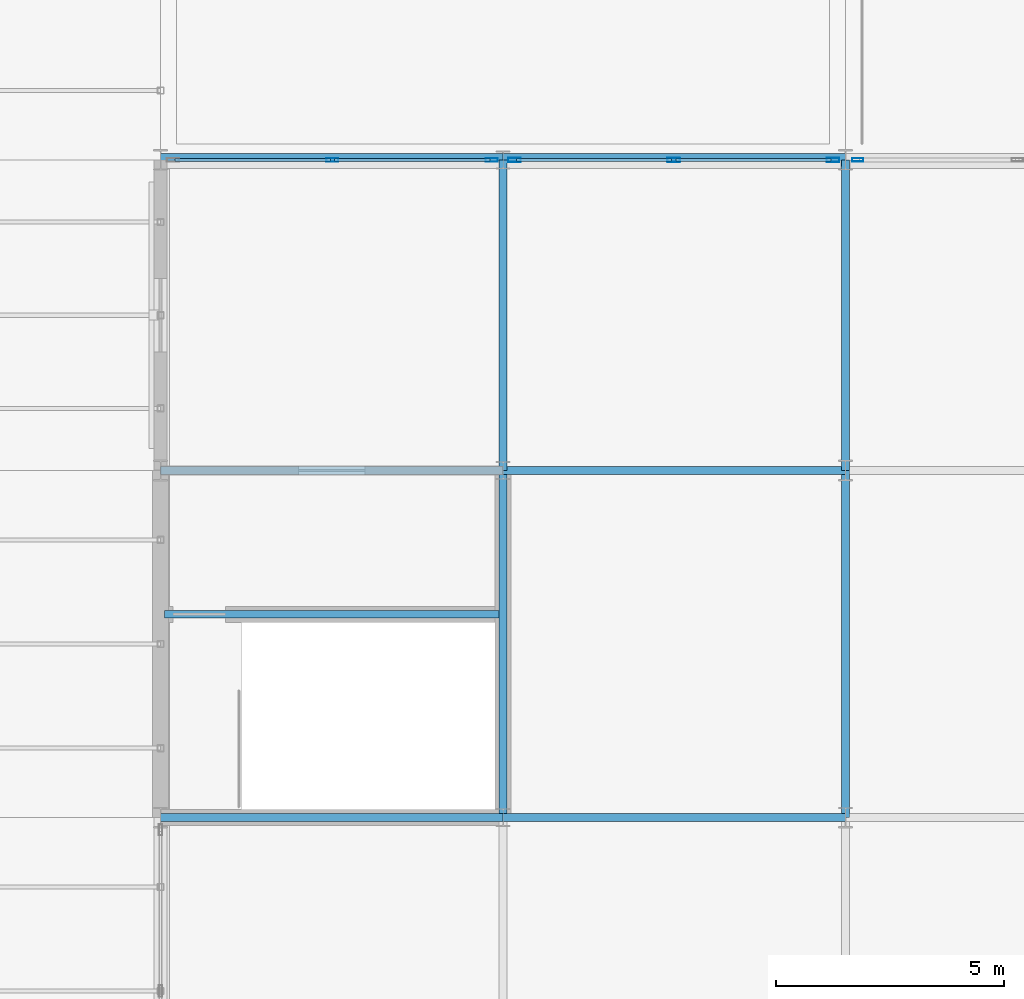
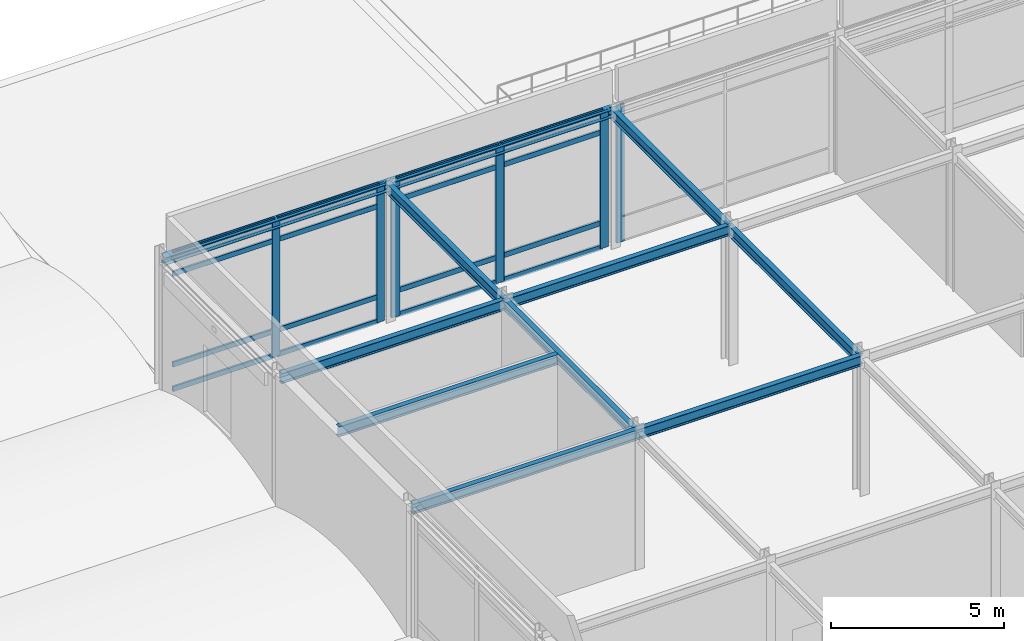
# One storey, part 40 of 113: 22 members, 11 beams, 3 elements without a shape of their own.
"""IFC4 building model written with IfcOpenShell, lengths in metres."""

from ifc_helpers import new_model, si_unit, direction, frame, origin, origin_2d, place, context, subcontext, project, spatial, hollow_rectangle, i_section, extrude, material, layer, layer_set, material_profile, profile_set, type_object, element, aggregate, save


model = new_model("IFC4")

# Units and contexts
model_context = context("Model", 3, precision=1e-05, world=origin(), true_north=direction((0.0, 1.0)))
body_context = subcontext(model_context, "Body", "Model", "MODEL_VIEW")
ifc_project = project(units=[si_unit("LENGTHUNIT", "METRE"), si_unit("AREAUNIT", "SQUARE_METRE"), si_unit("VOLUMEUNIT", "CUBIC_METRE"), si_unit("PLANEANGLEUNIT", "RADIAN"), si_unit("MASSUNIT", "GRAM", prefix="KILO")], contexts=[model_context])

# Site, building, storey
site_placement = place(None, origin())
site = spatial("IfcSite", under=ifc_project, at=site_placement, CompositionType="ELEMENT")
building_placement = place(site_placement, origin())
building = spatial("IfcBuilding", under=site, at=building_placement, Name="Shalkamar Park Central Library", CompositionType="ELEMENT")
storey_placement = place(building_placement, frame((0.0, 0.0, 5.39990234375)))
storey = spatial("IfcBuildingStorey", under=building, at=storey_placement, Name="L02", CompositionType="ELEMENT", Elevation=5.39990234375)

# Curtain wall, member
ifc_material_1 = material(Name="Thermally broken aluminium and triple low-e curtain wall", Category="aluminium")
ifc_layer_1 = layer(ifc_material_1, 0.25)
ifc_layer_set_1 = layer_set([ifc_layer_1], Name="UnitisedCurtainWall_22")
curtain_wall_type_1 = type_object("IfcCurtainWallType", Name="Unitised Curtain Wall 22", PredefinedType="USERDEFINED", material=ifc_layer_set_1)
curtain_wall_1_placement = place(storey_placement, origin())
curtain_wall_1 = element("IfcCurtainWall", 1, at=curtain_wall_1_placement, inside=storey, type_object=curtain_wall_type_1, Name="Unitised Curtain Wall CW-L02-024", ObjectType="UNITISED CURTAIN WALL", PredefinedType="USERDEFINED")
ifc_material_2 = material(Name="Aluminium 6060-T66", Category="aluminium")
ifc_material_profile_1 = material_profile(ifc_material_2, hollow_rectangle(XDim=0.074951171875, YDim=0.25, WallThickness=0.00390625, InnerFilletRadius=0.00390625, OuterFilletRadius=0.006103515625, at=origin_2d()), Name="ALU 75x250x4")
ifc_profile_set_1 = profile_set([ifc_material_profile_1], Name="Aluminium 6060-T66")
member_type_1 = type_object("IfcMemberType", Name="Curtain Wall Mullion ALU75x250", PredefinedType="MULLION", material=ifc_profile_set_1)
member_1_placement = place(storey_placement, frame((150.2666015625, 338.0, 0.0), z_axis=(0.0, 0.0, 1.0), x_axis=(0.0, 1.0, 0.0)))
member_1 = element("IfcMember", 2, at=member_1_placement, type_object=member_type_1, Name="CW-22 mullion 1", PredefinedType="MULLION", context=body_context, shape_type="SweptSolid", body=[
    extrude(hollow_rectangle(XDim=0.074951171875, YDim=0.25, WallThickness=0.00390625, InnerFilletRadius=0.00390625, OuterFilletRadius=0.006103515625, at=origin_2d()), origin(), (0.0, 0.0, 1.0), 4.85009765625),
])
aggregate(curtain_wall_1, [member_1])

# Curtain wall, members
ifc_layer_2 = layer(ifc_material_1, 0.264892578125)
ifc_layer_set_2 = layer_set([ifc_layer_2], Name="UnitisedCurtainWall_20")
curtain_wall_type_2 = type_object("IfcCurtainWallType", Name="Unitised Curtain Wall 20", PredefinedType="USERDEFINED", material=ifc_layer_set_2)
curtain_wall_2_placement = place(storey_placement, origin())
curtain_wall_2 = element("IfcCurtainWall", 3, at=curtain_wall_2_placement, inside=storey, type_object=curtain_wall_type_2, Name="Unitised Curtain Wall CW-L02-022", ObjectType="UNITISED CURTAIN WALL", PredefinedType="USERDEFINED")
ifc_material_profile_2 = material_profile(ifc_material_2, hollow_rectangle(XDim=0.0849609375, YDim=0.264892578125, WallThickness=0.0048828125, InnerFilletRadius=0.0048828125, OuterFilletRadius=0.007568359375, at=origin_2d()), Name="ALU 85x265x5")
ifc_profile_set_2 = profile_set([ifc_material_profile_2], Name="Aluminium 6060-T66")
member_type_2 = type_object("IfcMemberType", Name="Curtain Wall Mullion ALU85x265", PredefinedType="MULLION", material=ifc_profile_set_2)
member_2_placement = place(storey_placement, frame((138.762451171875, 338.0, 0.0), z_axis=(0.0, 0.0, 1.0), x_axis=(0.0, 1.0, 0.0)))
member_2 = element("IfcMember", 4, at=member_2_placement, type_object=member_type_2, Name="CW-20 mullion 2", PredefinedType="MULLION", context=body_context, shape_type="SweptSolid", body=[
    extrude(hollow_rectangle(XDim=0.0849609375, YDim=0.264892578125, WallThickness=0.0048828125, InnerFilletRadius=0.0048828125, OuterFilletRadius=0.007568359375, at=origin_2d()), origin(), (0.0, 0.0, 1.0), 4.85009765625),
])
member_3_placement = place(storey_placement, frame((142.25341796875, 338.0, 0.0), z_axis=(0.0, 0.0, 1.0), x_axis=(0.0, 1.0, 0.0)))
member_3 = element("IfcMember", 5, at=member_3_placement, type_object=member_type_2, Name="CW-20 mullion 3", PredefinedType="MULLION", context=body_context, shape_type="SweptSolid", body=[
    extrude(hollow_rectangle(XDim=0.0849609375, YDim=0.264892578125, WallThickness=0.0048828125, InnerFilletRadius=0.0048828125, OuterFilletRadius=0.007568359375, at=origin_2d()), origin(), (0.0, 0.0, 1.0), 4.85009765625),
])

ifc_layer_3 = layer(ifc_material_1, 0.280029296875)
ifc_layer_set_3 = layer_set([ifc_layer_3], Name="UnitisedCurtainWall_21")
curtain_wall_type_3 = type_object("IfcCurtainWallType", Name="Unitised Curtain Wall 21", PredefinedType="USERDEFINED", material=ifc_layer_set_3)
curtain_wall_3_placement = place(storey_placement, origin())
curtain_wall_3 = element("IfcCurtainWall", 6, at=curtain_wall_3_placement, inside=storey, type_object=curtain_wall_type_3, Name="Unitised Curtain Wall CW-L02-023", ObjectType="UNITISED CURTAIN WALL", PredefinedType="USERDEFINED")
ifc_material_profile_3 = material_profile(ifc_material_2, hollow_rectangle(XDim=0.090087890625, YDim=0.280029296875, WallThickness=0.0048828125, InnerFilletRadius=0.0048828125, OuterFilletRadius=0.007568359375, at=origin_2d()), Name="ALU 90x280x5")
ifc_profile_set_3 = profile_set([ifc_material_profile_3], Name="Aluminium 6060-T66")
member_type_3 = type_object("IfcMemberType", Name="Curtain Wall Mullion ALU90x280", PredefinedType="MULLION", material=ifc_profile_set_3)
member_4_placement = place(storey_placement, frame((142.7490234375, 338.0, 0.0), z_axis=(0.0, 0.0, 1.0), x_axis=(0.0, 1.0, 0.0)))
member_4 = element("IfcMember", 7, at=member_4_placement, type_object=member_type_3, Name="CW-21 mullion 1", PredefinedType="MULLION", context=body_context, shape_type="SweptSolid", body=[
    extrude(hollow_rectangle(XDim=0.090087890625, YDim=0.280029296875, WallThickness=0.0048828125, InnerFilletRadius=0.0048828125, OuterFilletRadius=0.007568359375, at=origin_2d()), origin(), (0.0, 0.0, 1.0), 4.85009765625),
])
member_5_placement = place(storey_placement, frame((146.237548828125, 338.0, 0.0), z_axis=(0.0, 0.0, 1.0), x_axis=(0.0, 1.0, 0.0)))
member_5 = element("IfcMember", 8, at=member_5_placement, type_object=member_type_3, Name="CW-21 mullion 2", PredefinedType="MULLION", context=body_context, shape_type="SweptSolid", body=[
    extrude(hollow_rectangle(XDim=0.090087890625, YDim=0.280029296875, WallThickness=0.0048828125, InnerFilletRadius=0.0048828125, OuterFilletRadius=0.007568359375, at=origin_2d()), origin(), (0.0, 0.0, 1.0), 4.85009765625),
])
member_6_placement = place(storey_placement, frame((149.72607421875, 338.0, 0.0), z_axis=(0.0, 0.0, 1.0), x_axis=(0.0, 1.0, 0.0)))
member_6 = element("IfcMember", 9, at=member_6_placement, type_object=member_type_3, Name="CW-21 mullion 3", PredefinedType="MULLION", context=body_context, shape_type="SweptSolid", body=[
    extrude(hollow_rectangle(XDim=0.090087890625, YDim=0.280029296875, WallThickness=0.0048828125, InnerFilletRadius=0.0048828125, OuterFilletRadius=0.007568359375, at=origin_2d()), origin(), (0.0, 0.0, 1.0), 4.85009765625),
])

# Member
ifc_material_profile_4 = material_profile(ifc_material_2, hollow_rectangle(XDim=0.070068359375, YDim=0.179931640625, WallThickness=0.00439453125, InnerFilletRadius=0.00439453125, OuterFilletRadius=0.0068359375, at=origin_2d()), Name="ALU 70x180x4.5")
ifc_profile_set_4 = profile_set([ifc_material_profile_4], Name="Aluminium 6060-T66")
member_type_4 = type_object("IfcMemberType", Name="Curtain Wall Transom ALU70x180", PredefinedType="USERDEFINED", material=ifc_profile_set_4)
member_7_placement = place(storey_placement, frame((135.31396484375, 338.0, 0.03515625), z_axis=(1.0, 0.0, 0.0), x_axis=(0.0, 1.0, 0.0)))
member_7 = element("IfcMember", 10, at=member_7_placement, type_object=member_type_4, Name="CW-20 transom 1.1", ObjectType="TRANSOM", PredefinedType="USERDEFINED", context=body_context, shape_type="SweptSolid", body=[
    extrude(hollow_rectangle(XDim=0.070068359375, YDim=0.179931640625, WallThickness=0.00439453125, InnerFilletRadius=0.00439453125, OuterFilletRadius=0.0068359375, at=origin_2d()), origin(), (0.0, 0.0, 1.0), 3.406005859375),
])

member_8_placement = place(storey_placement, frame((135.31396484375, 338.0, 0.900146484375), z_axis=(1.0, 0.0, 0.0), x_axis=(0.0, 1.0, 0.0)))
member_8 = element("IfcMember", 11, at=member_8_placement, type_object=member_type_4, Name="CW-20 transom 1.2", ObjectType="TRANSOM", PredefinedType="USERDEFINED", context=body_context, shape_type="SweptSolid", body=[
    extrude(hollow_rectangle(XDim=0.070068359375, YDim=0.179931640625, WallThickness=0.00439453125, InnerFilletRadius=0.00439453125, OuterFilletRadius=0.0068359375, at=origin_2d()), origin(), (0.0, 0.0, 1.0), 3.406005859375),
])

member_9_placement = place(storey_placement, frame((135.31396484375, 338.0, 4.10009765625), z_axis=(1.0, 0.0, 0.0), x_axis=(0.0, 1.0, 0.0)))
member_9 = element("IfcMember", 12, at=member_9_placement, type_object=member_type_4, Name="CW-20 transom 1.3", ObjectType="TRANSOM", PredefinedType="USERDEFINED", context=body_context, shape_type="SweptSolid", body=[
    extrude(hollow_rectangle(XDim=0.070068359375, YDim=0.179931640625, WallThickness=0.00439453125, InnerFilletRadius=0.00439453125, OuterFilletRadius=0.0068359375, at=origin_2d()), origin(), (0.0, 0.0, 1.0), 3.406005859375),
])

member_10_placement = place(storey_placement, frame((135.31396484375, 338.0, 4.815185546875), z_axis=(1.0, 0.0, 0.0), x_axis=(0.0, 1.0, 0.0)))
member_10 = element("IfcMember", 13, at=member_10_placement, type_object=member_type_4, Name="CW-20 transom 1.4", ObjectType="TRANSOM", PredefinedType="USERDEFINED", context=body_context, shape_type="SweptSolid", body=[
    extrude(hollow_rectangle(XDim=0.070068359375, YDim=0.179931640625, WallThickness=0.00439453125, InnerFilletRadius=0.00439453125, OuterFilletRadius=0.0068359375, at=origin_2d()), origin(), (0.0, 0.0, 1.0), 3.406005859375),
])

member_11_placement = place(storey_placement, frame((138.804931640625, 338.0, 0.03515625), z_axis=(1.0, 0.0, 0.0), x_axis=(0.0, 1.0, 0.0)))
member_11 = element("IfcMember", 14, at=member_11_placement, type_object=member_type_4, Name="CW-20 transom 2.1", ObjectType="TRANSOM", PredefinedType="USERDEFINED", context=body_context, shape_type="SweptSolid", body=[
    extrude(hollow_rectangle(XDim=0.070068359375, YDim=0.179931640625, WallThickness=0.00439453125, InnerFilletRadius=0.00439453125, OuterFilletRadius=0.0068359375, at=origin_2d()), origin(), (0.0, 0.0, 1.0), 3.406005859375),
])

member_12_placement = place(storey_placement, frame((138.804931640625, 338.0, 0.900146484375), z_axis=(1.0, 0.0, 0.0), x_axis=(0.0, 1.0, 0.0)))
member_12 = element("IfcMember", 15, at=member_12_placement, type_object=member_type_4, Name="CW-20 transom 2.2", ObjectType="TRANSOM", PredefinedType="USERDEFINED", context=body_context, shape_type="SweptSolid", body=[
    extrude(hollow_rectangle(XDim=0.070068359375, YDim=0.179931640625, WallThickness=0.00439453125, InnerFilletRadius=0.00439453125, OuterFilletRadius=0.0068359375, at=origin_2d()), origin(), (0.0, 0.0, 1.0), 3.406005859375),
])

member_13_placement = place(storey_placement, frame((138.804931640625, 338.0, 4.10009765625), z_axis=(1.0, 0.0, 0.0), x_axis=(0.0, 1.0, 0.0)))
member_13 = element("IfcMember", 16, at=member_13_placement, type_object=member_type_4, Name="CW-20 transom 2.3", ObjectType="TRANSOM", PredefinedType="USERDEFINED", context=body_context, shape_type="SweptSolid", body=[
    extrude(hollow_rectangle(XDim=0.070068359375, YDim=0.179931640625, WallThickness=0.00439453125, InnerFilletRadius=0.00439453125, OuterFilletRadius=0.0068359375, at=origin_2d()), origin(), (0.0, 0.0, 1.0), 3.406005859375),
])

member_14_placement = place(storey_placement, frame((138.804931640625, 338.0, 4.815185546875), z_axis=(1.0, 0.0, 0.0), x_axis=(0.0, 1.0, 0.0)))
member_14 = element("IfcMember", 17, at=member_14_placement, type_object=member_type_4, Name="CW-20 transom 2.4", ObjectType="TRANSOM", PredefinedType="USERDEFINED", context=body_context, shape_type="SweptSolid", body=[
    extrude(hollow_rectangle(XDim=0.070068359375, YDim=0.179931640625, WallThickness=0.00439453125, InnerFilletRadius=0.00439453125, OuterFilletRadius=0.0068359375, at=origin_2d()), origin(), (0.0, 0.0, 1.0), 3.406005859375),
])

aggregate(curtain_wall_2, [member_2, member_3, member_7, member_8, member_9, member_10, member_11, member_12, member_13, member_14])

ifc_material_profile_5 = material_profile(ifc_material_2, hollow_rectangle(XDim=0.070068359375, YDim=0.18994140625, WallThickness=0.0048828125, InnerFilletRadius=0.0048828125, OuterFilletRadius=0.007568359375, at=origin_2d()), Name="ALU 70x190x5")
ifc_profile_set_5 = profile_set([ifc_material_profile_5], Name="Aluminium 6060-T66")
member_type_5 = type_object("IfcMemberType", Name="Curtain Wall Transom ALU70x190", PredefinedType="USERDEFINED", material=ifc_profile_set_5)
member_15_placement = place(storey_placement, frame((142.7939453125, 338.0, 0.03515625), z_axis=(1.0, 0.0, 0.0), x_axis=(0.0, 1.0, 0.0)))
member_15 = element("IfcMember", 18, at=member_15_placement, type_object=member_type_5, Name="CW-21 transom 1.1", ObjectType="TRANSOM", PredefinedType="USERDEFINED", context=body_context, shape_type="SweptSolid", body=[
    extrude(hollow_rectangle(XDim=0.070068359375, YDim=0.18994140625, WallThickness=0.0048828125, InnerFilletRadius=0.0048828125, OuterFilletRadius=0.007568359375, at=origin_2d()), origin(), (0.0, 0.0, 1.0), 3.3984375),
])

member_16_placement = place(storey_placement, frame((142.7939453125, 338.0, 0.900146484375), z_axis=(1.0, 0.0, 0.0), x_axis=(0.0, 1.0, 0.0)))
member_16 = element("IfcMember", 19, at=member_16_placement, type_object=member_type_5, Name="CW-21 transom 1.2", ObjectType="TRANSOM", PredefinedType="USERDEFINED", context=body_context, shape_type="SweptSolid", body=[
    extrude(hollow_rectangle(XDim=0.070068359375, YDim=0.18994140625, WallThickness=0.0048828125, InnerFilletRadius=0.0048828125, OuterFilletRadius=0.007568359375, at=origin_2d()), origin(), (0.0, 0.0, 1.0), 3.3984375),
])

member_17_placement = place(storey_placement, frame((142.7939453125, 338.0, 4.10009765625), z_axis=(1.0, 0.0, 0.0), x_axis=(0.0, 1.0, 0.0)))
member_17 = element("IfcMember", 20, at=member_17_placement, type_object=member_type_5, Name="CW-21 transom 1.3", ObjectType="TRANSOM", PredefinedType="USERDEFINED", context=body_context, shape_type="SweptSolid", body=[
    extrude(hollow_rectangle(XDim=0.070068359375, YDim=0.18994140625, WallThickness=0.0048828125, InnerFilletRadius=0.0048828125, OuterFilletRadius=0.007568359375, at=origin_2d()), origin(), (0.0, 0.0, 1.0), 3.3984375),
])

member_18_placement = place(storey_placement, frame((142.7939453125, 338.0, 4.815185546875), z_axis=(1.0, 0.0, 0.0), x_axis=(0.0, 1.0, 0.0)))
member_18 = element("IfcMember", 21, at=member_18_placement, type_object=member_type_5, Name="CW-21 transom 1.4", ObjectType="TRANSOM", PredefinedType="USERDEFINED", context=body_context, shape_type="SweptSolid", body=[
    extrude(hollow_rectangle(XDim=0.070068359375, YDim=0.18994140625, WallThickness=0.0048828125, InnerFilletRadius=0.0048828125, OuterFilletRadius=0.007568359375, at=origin_2d()), origin(), (0.0, 0.0, 1.0), 3.3984375),
])

member_19_placement = place(storey_placement, frame((146.282470703125, 338.0, 0.03515625), z_axis=(1.0, 0.0, 0.0), x_axis=(0.0, 1.0, 0.0)))
member_19 = element("IfcMember", 22, at=member_19_placement, type_object=member_type_5, Name="CW-21 transom 2.1", ObjectType="TRANSOM", PredefinedType="USERDEFINED", context=body_context, shape_type="SweptSolid", body=[
    extrude(hollow_rectangle(XDim=0.070068359375, YDim=0.18994140625, WallThickness=0.0048828125, InnerFilletRadius=0.0048828125, OuterFilletRadius=0.007568359375, at=origin_2d()), origin(), (0.0, 0.0, 1.0), 3.3984375),
])

member_20_placement = place(storey_placement, frame((146.282470703125, 338.0, 0.900146484375), z_axis=(1.0, 0.0, 0.0), x_axis=(0.0, 1.0, 0.0)))
member_20 = element("IfcMember", 23, at=member_20_placement, type_object=member_type_5, Name="CW-21 transom 2.2", ObjectType="TRANSOM", PredefinedType="USERDEFINED", context=body_context, shape_type="SweptSolid", body=[
    extrude(hollow_rectangle(XDim=0.070068359375, YDim=0.18994140625, WallThickness=0.0048828125, InnerFilletRadius=0.0048828125, OuterFilletRadius=0.007568359375, at=origin_2d()), origin(), (0.0, 0.0, 1.0), 3.3984375),
])

member_21_placement = place(storey_placement, frame((146.282470703125, 338.0, 4.10009765625), z_axis=(1.0, 0.0, 0.0), x_axis=(0.0, 1.0, 0.0)))
member_21 = element("IfcMember", 24, at=member_21_placement, type_object=member_type_5, Name="CW-21 transom 2.3", ObjectType="TRANSOM", PredefinedType="USERDEFINED", context=body_context, shape_type="SweptSolid", body=[
    extrude(hollow_rectangle(XDim=0.070068359375, YDim=0.18994140625, WallThickness=0.0048828125, InnerFilletRadius=0.0048828125, OuterFilletRadius=0.007568359375, at=origin_2d()), origin(), (0.0, 0.0, 1.0), 3.3984375),
])

member_22_placement = place(storey_placement, frame((146.282470703125, 338.0, 4.815185546875), z_axis=(1.0, 0.0, 0.0), x_axis=(0.0, 1.0, 0.0)))
member_22 = element("IfcMember", 25, at=member_22_placement, type_object=member_type_5, Name="CW-21 transom 2.4", ObjectType="TRANSOM", PredefinedType="USERDEFINED", context=body_context, shape_type="SweptSolid", body=[
    extrude(hollow_rectangle(XDim=0.070068359375, YDim=0.18994140625, WallThickness=0.0048828125, InnerFilletRadius=0.0048828125, OuterFilletRadius=0.007568359375, at=origin_2d()), origin(), (0.0, 0.0, 1.0), 3.3984375),
])

aggregate(curtain_wall_3, [member_4, member_5, member_6, member_15, member_16, member_17, member_18, member_19, member_20, member_21, member_22])

# Beams
ifc_material_3 = material(Name="Steel S355", Category="steel")
ifc_material_profile_6 = material_profile(ifc_material_3, i_section(OverallWidth=0.280029296875, OverallDepth=0.27001953125, WebThickness=0.008056640625, FlangeThickness=0.012939453125, FilletRadius=0.02392578125, at=origin_2d()), Name="HEA 280")
ifc_profile_set_6 = profile_set([ifc_material_profile_6], Name="Steel S355")
beam_type_1 = type_object("IfcBeamType", Name="Perimeter Spandrel Beam HEA280", PredefinedType="SPANDREL", material=ifc_profile_set_6)
for number, where, z_axis, x_axis, name in (
    (26, (135.0, 338.0, 4.715087890625), (1.0, 0.0, 0.0), (0.0, 1.0, 0.0), "Beam P:03-04 (L02)"),
    (27, (142.5, 338.0, 4.715087890625), (1.0, 0.0, 0.0), (0.0, 1.0, 0.0), "Beam P:04-05 (L02)"),
):
    element("IfcBeam", number, at=place(storey_placement, frame(where, z_axis=z_axis, x_axis=x_axis)), inside=storey, type_object=beam_type_1, Name=name, PredefinedType="SPANDREL", context=body_context, shape_type="SweptSolid", body=[
        extrude(i_section(OverallWidth=0.280029296875, OverallDepth=0.27001953125, WebThickness=0.008056640625, FlangeThickness=0.012939453125, FilletRadius=0.02392578125, at=origin_2d()), origin(), (0.0, 0.0, 1.0), 7.5),
    ])
ifc_material_profile_7 = material_profile(ifc_material_3, i_section(OverallWidth=0.169921875, OverallDepth=0.360107421875, WebThickness=0.008056640625, FlangeThickness=0.0126953125, FilletRadius=0.01806640625, at=origin_2d()), Name="IPE 360")
ifc_profile_set_7 = profile_set([ifc_material_profile_7], Name="Steel S355")
beam_type_2 = type_object("IfcBeamType", Name="Primary Girder IPE360", PredefinedType="BEAM", material=ifc_profile_set_7)
for number, where, z_axis, x_axis, name in (
    (28, (135.0, 323.60009765625, 4.670166015625), (1.0, 0.0, 0.0), (0.0, 1.0, 0.0), "Beam M:03-04 (L02)"),
    (29, (142.5, 323.60009765625, 4.670166015625), (1.0, 0.0, 0.0), (0.0, 1.0, 0.0), "Beam M:04-05 (L02)"),
    (30, (135.0, 331.199951171875, 4.670166015625), (1.0, 0.0, 0.0), (0.0, 1.0, 0.0), "Beam N:03-04 (L02)"),
    (31, (142.5, 331.199951171875, 4.670166015625), (1.0, 0.0, 0.0), (0.0, 1.0, 0.0), "Beam N:04-05 (L02)"),
):
    element("IfcBeam", number, at=place(storey_placement, frame(where, z_axis=z_axis, x_axis=x_axis)), inside=storey, type_object=beam_type_2, Name=name, PredefinedType="BEAM", context=body_context, shape_type="SweptSolid", body=[
        extrude(i_section(OverallWidth=0.169921875, OverallDepth=0.360107421875, WebThickness=0.008056640625, FlangeThickness=0.0126953125, FilletRadius=0.01806640625, at=origin_2d()), origin(), (0.0, 0.0, 1.0), 7.5),
    ])
beam_1_placement = place(storey_placement, frame((142.5, 323.60009765625, 4.670166015625), z_axis=(0.0, 1.0, 0.0), x_axis=(-1.0, 0.0, 0.0)))
element("IfcBeam", 32, at=beam_1_placement, inside=storey, type_object=beam_type_2, Name="Beam 04:M-N (L02)", PredefinedType="BEAM", context=body_context, shape_type="SweptSolid", body=[
    extrude(i_section(OverallWidth=0.169921875, OverallDepth=0.360107421875, WebThickness=0.008056640625, FlangeThickness=0.0126953125, FilletRadius=0.01806640625, at=origin_2d()), origin(), (0.0, 0.0, 1.0), 7.599853515625),
])
beam_2_placement = place(storey_placement, frame((142.5, 331.199951171875, 4.670166015625), z_axis=(0.0, 1.0, 0.0), x_axis=(-1.0, 0.0, 0.0)))
element("IfcBeam", 33, at=beam_2_placement, inside=storey, type_object=beam_type_2, Name="Beam 04:N-P (L02)", PredefinedType="BEAM", context=body_context, shape_type="SweptSolid", body=[
    extrude(i_section(OverallWidth=0.169921875, OverallDepth=0.360107421875, WebThickness=0.008056640625, FlangeThickness=0.0126953125, FilletRadius=0.01806640625, at=origin_2d()), origin(), (0.0, 0.0, 1.0), 6.800048828125),
])
beam_3_placement = place(storey_placement, frame((150.0, 323.60009765625, 4.670166015625), z_axis=(0.0, 1.0, 0.0), x_axis=(-1.0, 0.0, 0.0)))
element("IfcBeam", 34, at=beam_3_placement, inside=storey, type_object=beam_type_2, Name="Beam 05:M-N (L02)", PredefinedType="BEAM", context=body_context, shape_type="SweptSolid", body=[
    extrude(i_section(OverallWidth=0.169921875, OverallDepth=0.360107421875, WebThickness=0.008056640625, FlangeThickness=0.0126953125, FilletRadius=0.01806640625, at=origin_2d()), origin(), (0.0, 0.0, 1.0), 7.599853515625),
])
beam_4_placement = place(storey_placement, frame((150.0, 331.199951171875, 4.670166015625), z_axis=(0.0, 1.0, 0.0), x_axis=(-1.0, 0.0, 0.0)))
element("IfcBeam", 35, at=beam_4_placement, inside=storey, type_object=beam_type_2, Name="Beam 05:N-P (L02)", PredefinedType="BEAM", context=body_context, shape_type="SweptSolid", body=[
    extrude(i_section(OverallWidth=0.169921875, OverallDepth=0.360107421875, WebThickness=0.008056640625, FlangeThickness=0.0126953125, FilletRadius=0.01806640625, at=origin_2d()), origin(), (0.0, 0.0, 1.0), 6.800048828125),
])
beam_5_placement = place(storey_placement, frame((135.087890625, 328.050048828125, 4.670166015625), z_axis=(1.0, 0.0, 0.0), x_axis=(0.0, 1.0, 0.0)))
element("IfcBeam", 36, at=beam_5_placement, inside=storey, type_object=beam_type_2, Name="CORE-P5 Stairwell Divider Beam (L02)", PredefinedType="BEAM", context=body_context, shape_type="SweptSolid", body=[
    extrude(i_section(OverallWidth=0.169921875, OverallDepth=0.360107421875, WebThickness=0.008056640625, FlangeThickness=0.0126953125, FilletRadius=0.01806640625, at=origin_2d()), origin(), (0.0, 0.0, 1.0), 7.32421875),
])

save(model, "model.ifc")
